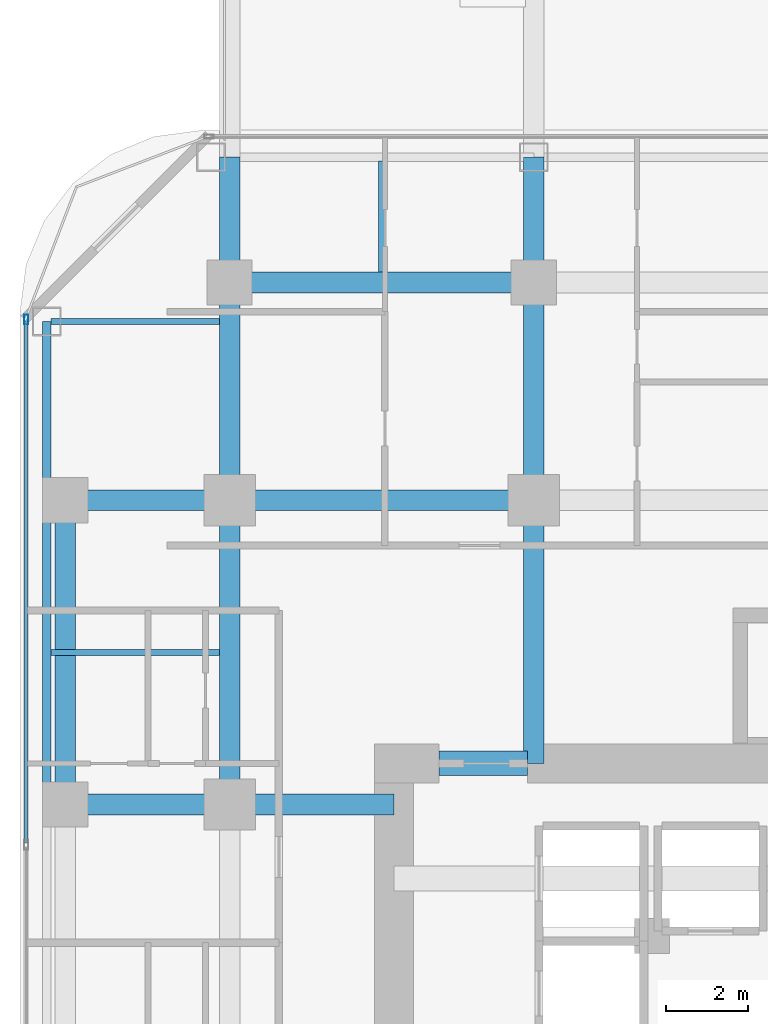
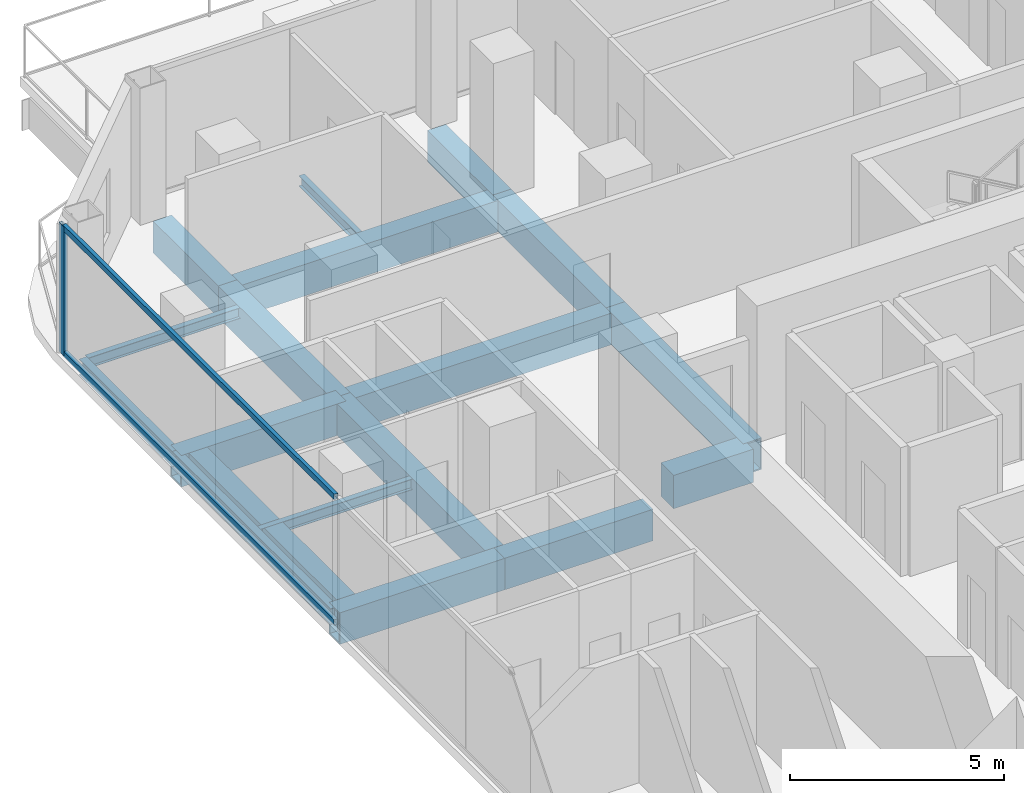
# One storey, part 12 of 29: 18 beams, 3 members, 1 element without a shape of its own.
"""IFC4 building model written with IfcOpenShell, lengths in metres."""

from ifc_helpers import new_model, si_unit, direction, frame, origin, origin_2d, place, context, subcontext, project, spatial, rectangle, hollow_rectangle, i_section, extrude, material, layer, layer_set, material_profile, profile_set, type_object, element, aggregate, save


model = new_model("IFC4")

# Units and contexts
model_context = context("Model", 3, precision=1e-05, world=origin(), true_north=direction((0.0, 1.0)))
body_context = subcontext(model_context, "Body", "Model", "MODEL_VIEW")
ifc_project = project(units=[si_unit("LENGTHUNIT", "METRE"), si_unit("AREAUNIT", "SQUARE_METRE"), si_unit("VOLUMEUNIT", "CUBIC_METRE"), si_unit("PLANEANGLEUNIT", "RADIAN"), si_unit("MASSUNIT", "GRAM", prefix="KILO")], contexts=[model_context])

# Site, building, storey
site_placement = place(None, origin())
site = spatial("IfcSite", under=ifc_project, at=site_placement, CompositionType="ELEMENT")
building_placement = place(site_placement, origin())
building = spatial("IfcBuilding", under=site, at=building_placement, Name="Khorvyn Point Tower", CompositionType="ELEMENT")
storey_placement = place(building_placement, frame((0.0, 0.0, 136.800048828125)))
storey = spatial("IfcBuildingStorey", under=building, at=storey_placement, Name="L34", CompositionType="ELEMENT", Elevation=136.800048828125)

# Curtain wall, members
ifc_material_1 = material(Name="Anodised aluminium 6063-T6 and laminated Low-E glass", Category="aluminium")
ifc_layer = layer(ifc_material_1, 0.18994140625)
ifc_layer_set = layer_set([ifc_layer], Name="Stick-Built Acoustic Curtain Wall CW-SYS-03")
curtain_wall_type = type_object("IfcCurtainWallType", Name="Stick-Built Acoustic Curtain Wall CW-SYS-03", PredefinedType="NOTDEFINED", material=ifc_layer_set)
curtain_wall_placement = place(storey_placement, origin())
curtain_wall = element("IfcCurtainWall", 1, at=curtain_wall_placement, inside=storey, type_object=curtain_wall_type, Name="Curtain Wall", PredefinedType="NOTDEFINED")
ifc_material_2 = material(Name="Anodised aluminium 6063-T6", Category="aluminium")
ifc_material_profile_1 = material_profile(ifc_material_2, hollow_rectangle(XDim=0.10009765625, YDim=0.239990234375, WallThickness=0.0048828125, at=origin_2d()))
ifc_profile_set_1 = profile_set([ifc_material_profile_1], Name="Anodised aluminium 6063-T6 ALU-MUL-100x240")
member_type_1 = type_object("IfcMemberType", Name="Anodised Aluminium 6063-T6 Mullion ALU-MUL-100x240", PredefinedType="MULLION", material=ifc_profile_set_1)
member_1_placement = place(storey_placement, frame((-19.75, 19.199951171875, 0.0), z_axis=(0.0, 0.0, 1.0), x_axis=(-1.0, 0.0, 0.0)))
member_1 = element("IfcMember", 2, at=member_1_placement, type_object=member_type_1, Name="Transom", PredefinedType="MULLION", context=body_context, shape_type="SweptSolid", body=[
    extrude(hollow_rectangle(XDim=0.10009765625, YDim=0.239990234375, WallThickness=0.0048828125, at=origin_2d()), origin(), (0.0, 0.0, 1.0), 3.679931640625),
])
ifc_material_profile_2 = material_profile(ifc_material_2, hollow_rectangle(XDim=0.10009765625, YDim=0.159912109375, WallThickness=0.00439453125, at=origin_2d()))
ifc_profile_set_2 = profile_set([ifc_material_profile_2], Name="Anodised aluminium 6063-T6 ALU-TRN-100x160")
member_type_2 = type_object("IfcMemberType", Name="Anodised Aluminium 6063-T6 Transom ALU-TRN-100x160", PredefinedType="USERDEFINED", material=ifc_profile_set_2)
member_2_placement = place(storey_placement, frame((-19.75, 6.466552734375, 0.050048828125), z_axis=(0.0, 1.0, 0.0), x_axis=(-1.0, 0.0, 0.0)))
member_2 = element("IfcMember", 3, at=member_2_placement, type_object=member_type_2, Name="Transom", ObjectType="TRANSOM", PredefinedType="USERDEFINED", context=body_context, shape_type="SweptSolid", body=[
    extrude(hollow_rectangle(XDim=0.10009765625, YDim=0.159912109375, WallThickness=0.00439453125, at=origin_2d()), origin(), (0.0, 0.0, 1.0), 12.683349609375),
])
member_3_placement = place(storey_placement, frame((-19.75, 6.466552734375, 3.6298828125), z_axis=(0.0, 1.0, 0.0), x_axis=(-1.0, 0.0, 0.0)))
member_3 = element("IfcMember", 4, at=member_3_placement, type_object=member_type_2, Name="Transom", ObjectType="TRANSOM", PredefinedType="USERDEFINED", context=body_context, shape_type="SweptSolid", body=[
    extrude(hollow_rectangle(XDim=0.10009765625, YDim=0.159912109375, WallThickness=0.00439453125, at=origin_2d()), origin(), (0.0, 0.0, 1.0), 12.683349609375),
])
aggregate(curtain_wall, [member_1, member_2, member_3])

# Beams
ifc_material_3 = material(Name="Concrete C50/60", Category="concrete")
ifc_material_profile_3 = material_profile(ifc_material_3, rectangle(XDim=0.60009765625, YDim=0.949951171875, at=origin_2d()))
ifc_profile_set_3 = profile_set([ifc_material_profile_3], Name="Concrete C50/60 RC600x950")
beam_type_1 = type_object("IfcBeamType", Name="Concrete C50/60 Beam RC600x950", PredefinedType="BEAM", material=ifc_profile_set_3)
beam_1_placement = place(storey_placement, frame((-9.699951171875, 8.39990234375, -0.755126953125), z_axis=(1.0, 0.0, 0.0), x_axis=(0.0, 1.0, 0.0)))
element("IfcBeam", 5, at=beam_1_placement, inside=storey, type_object=beam_type_1, Name="L34 Core Northwest Portal Coupling Beam", PredefinedType="BEAM", context=body_context, shape_type="SweptSolid", body=[
    extrude(rectangle(XDim=0.60009765625, YDim=0.949951171875, at=origin_2d()), origin(), (0.0, 0.0, 1.0), 2.14990234375),
])
ifc_material_4 = material(Name="Steel S355", Category="steel")
ifc_material_profile_4 = material_profile(ifc_material_4, i_section(OverallWidth=0.14990234375, OverallDepth=0.300048828125, WebThickness=0.006591796875, FlangeThickness=0.009033203125, at=origin_2d()))
ifc_profile_set_4 = profile_set([ifc_material_profile_4], Name="Steel S355 H300x150x6.5x9")
beam_type_2 = type_object("IfcBeamType", Name="Steel S355 Joist H300x150x6.5x9", PredefinedType="JOIST", material=ifc_profile_set_4)
beam_2_placement = place(storey_placement, frame((-19.14990234375, 11.10009765625, -0.429931640625), z_axis=(1.0, 0.0, 0.0), x_axis=(0.0, 1.0, 0.0)))
element("IfcBeam", 6, at=beam_2_placement, inside=storey, type_object=beam_type_2, Name="Beam", PredefinedType="JOIST", context=body_context, shape_type="SweptSolid", body=[
    extrude(i_section(OverallWidth=0.14990234375, OverallDepth=0.300048828125, WebThickness=0.006591796875, FlangeThickness=0.009033203125, at=origin_2d()), origin(), (0.0, 0.0, 1.0), 4.099853515625),
])
beam_3_placement = place(storey_placement, frame((-11.10009765625, 20.35009765625, -0.429931640625), z_axis=(0.0, 1.0, 0.0), x_axis=(-1.0, 0.0, 0.0)))
element("IfcBeam", 7, at=beam_3_placement, inside=storey, type_object=beam_type_2, Name="Beam", PredefinedType="JOIST", context=body_context, shape_type="SweptSolid", body=[
    extrude(i_section(OverallWidth=0.14990234375, OverallDepth=0.300048828125, WebThickness=0.006591796875, FlangeThickness=0.009033203125, at=origin_2d()), origin(), (0.0, 0.0, 1.0), 2.699951171875),
])
beam_4_placement = place(storey_placement, frame((-19.14990234375, 19.14990234375, -0.429931640625), z_axis=(1.0, 0.0, 0.0), x_axis=(0.0, 1.0, 0.0)))
element("IfcBeam", 8, at=beam_4_placement, inside=storey, type_object=beam_type_2, Name="Beam", PredefinedType="JOIST", context=body_context, shape_type="SweptSolid", body=[
    extrude(i_section(OverallWidth=0.14990234375, OverallDepth=0.300048828125, WebThickness=0.006591796875, FlangeThickness=0.009033203125, at=origin_2d()), origin(), (0.0, 0.0, 1.0), 4.099853515625),
])
ifc_material_profile_5 = material_profile(ifc_material_4, i_section(OverallWidth=0.199951171875, OverallDepth=0.449951171875, WebThickness=0.009033203125, FlangeThickness=0.013916015625, at=origin_2d()))
ifc_profile_set_5 = profile_set([ifc_material_profile_5], Name="Steel S355 H450x200x9x14")
beam_type_3 = type_object("IfcBeamType", Name="Steel S355 Spandrel H450x200x9x14", PredefinedType="SPANDREL", material=ifc_profile_set_5)
beam_5_placement = place(storey_placement, frame((-19.25, 7.39990234375, -0.505126953125), z_axis=(0.0, 1.0, 0.0), x_axis=(-1.0, 0.0, 0.0)))
element("IfcBeam", 9, at=beam_5_placement, inside=storey, type_object=beam_type_3, Name="Beam", PredefinedType="SPANDREL", context=body_context, shape_type="SweptSolid", body=[
    extrude(i_section(OverallWidth=0.199951171875, OverallDepth=0.449951171875, WebThickness=0.009033203125, FlangeThickness=0.013916015625, at=origin_2d()), origin(), (0.0, 0.0, 1.0), 7.400146484375),
])
beam_6_placement = place(storey_placement, frame((-19.25, 14.800048828125, -0.505126953125), z_axis=(0.0, 1.0, 0.0), x_axis=(-1.0, 0.0, 0.0)))
element("IfcBeam", 10, at=beam_6_placement, inside=storey, type_object=beam_type_3, Name="Beam", PredefinedType="SPANDREL", context=body_context, shape_type="SweptSolid", body=[
    extrude(i_section(OverallWidth=0.199951171875, OverallDepth=0.449951171875, WebThickness=0.009033203125, FlangeThickness=0.013916015625, at=origin_2d()), origin(), (0.0, 0.0, 1.0), 4.349853515625),
])
ifc_material_5 = material(Name="Steel S450", Category="steel")
ifc_material_profile_6 = material_profile(ifc_material_5, hollow_rectangle(XDim=0.5, YDim=0.89990234375, WallThickness=0.0400390625, at=origin_2d()))
ifc_profile_set_6 = profile_set([ifc_material_profile_6], Name="Steel S450 BOX900x500x40")
beam_type_4 = type_object("IfcBeamType", Name="Steel S450 Beam BOX900x500x40", PredefinedType="BEAM", material=ifc_profile_set_6)
beam_7_placement = place(storey_placement, frame((-19.25, 14.800048828125, -0.72998046875), z_axis=(1.0, 0.0, 0.0), x_axis=(0.0, 1.0, 0.0)))
element("IfcBeam", 11, at=beam_7_placement, inside=storey, type_object=beam_type_4, Name="L34 Radial Transfer Girder", PredefinedType="BEAM", context=body_context, shape_type="SweptSolid", body=[
    extrude(hollow_rectangle(XDim=0.5, YDim=0.89990234375, WallThickness=0.0400390625, at=origin_2d()), origin(), (0.0, 0.0, 1.0), 4.449951171875),
])
beam_8_placement = place(storey_placement, frame((-14.800048828125, 14.800048828125, -0.72998046875), z_axis=(1.0, 0.0, 0.0), x_axis=(0.0, 1.0, 0.0)))
element("IfcBeam", 12, at=beam_8_placement, inside=storey, type_object=beam_type_4, Name="L34 Radial Transfer Girder", PredefinedType="BEAM", context=body_context, shape_type="SweptSolid", body=[
    extrude(hollow_rectangle(XDim=0.5, YDim=0.89990234375, WallThickness=0.0400390625, at=origin_2d()), origin(), (0.0, 0.0, 1.0), 7.400146484375),
])
beam_9_placement = place(storey_placement, frame((-19.25, 7.39990234375, -0.72998046875), z_axis=(1.0, 0.0, 0.0), x_axis=(0.0, 1.0, 0.0)))
element("IfcBeam", 13, at=beam_9_placement, inside=storey, type_object=beam_type_4, Name="Beam", PredefinedType="BEAM", context=body_context, shape_type="SweptSolid", body=[
    extrude(hollow_rectangle(XDim=0.5, YDim=0.89990234375, WallThickness=0.0400390625, at=origin_2d()), origin(), (0.0, 0.0, 1.0), 4.449951171875),
])
beam_10_placement = place(storey_placement, frame((-14.800048828125, 7.39990234375, -0.72998046875), z_axis=(1.0, 0.0, 0.0), x_axis=(0.0, 1.0, 0.0)))
element("IfcBeam", 14, at=beam_10_placement, inside=storey, type_object=beam_type_4, Name="Beam", PredefinedType="BEAM", context=body_context, shape_type="SweptSolid", body=[
    extrude(hollow_rectangle(XDim=0.5, YDim=0.89990234375, WallThickness=0.0400390625, at=origin_2d()), origin(), (0.0, 0.0, 1.0), 4.0),
])
for number, where, z_axis, x_axis, name in (
    (15, (-14.800048828125, 20.10009765625, -0.72998046875), (1.0, 0.0, 0.0), (0.0, 1.0, 0.0), "Beam"),
    (16, (-14.800048828125, 7.39990234375, -0.72998046875), (0.0, 1.0, 0.0), (-1.0, 0.0, 0.0), "L34 Radial Transfer Girder"),
):
    element("IfcBeam", number, at=place(storey_placement, frame(where, z_axis=z_axis, x_axis=x_axis)), inside=storey, type_object=beam_type_4, Name=name, PredefinedType="BEAM", context=body_context, shape_type="SweptSolid", body=[
        extrude(hollow_rectangle(XDim=0.5, YDim=0.89990234375, WallThickness=0.0400390625, at=origin_2d()), origin(), (0.0, 0.0, 1.0), 7.400146484375),
    ])
beam_11_placement = place(storey_placement, frame((-14.800048828125, 14.800048828125, -0.72998046875), z_axis=(0.0, 1.0, 0.0), x_axis=(-1.0, 0.0, 0.0)))
element("IfcBeam", 17, at=beam_11_placement, inside=storey, type_object=beam_type_4, Name="L34 Radial Transfer Girder", PredefinedType="BEAM", context=body_context, shape_type="SweptSolid", body=[
    extrude(hollow_rectangle(XDim=0.5, YDim=0.89990234375, WallThickness=0.0400390625, at=origin_2d()), origin(), (0.0, 0.0, 1.0), 5.300048828125),
])
beam_12_placement = place(storey_placement, frame((-14.800048828125, 20.10009765625, -0.72998046875), z_axis=(0.0, 1.0, 0.0), x_axis=(-1.0, 0.0, 0.0)))
element("IfcBeam", 18, at=beam_12_placement, inside=storey, type_object=beam_type_4, Name="L34 Radial Transfer Girder", PredefinedType="BEAM", context=body_context, shape_type="SweptSolid", body=[
    extrude(hollow_rectangle(XDim=0.5, YDim=0.89990234375, WallThickness=0.0400390625, at=origin_2d()), origin(), (0.0, 0.0, 1.0), 3.0498046875),
])
beam_13_placement = place(storey_placement, frame((-7.39990234375, 8.39990234375, -0.72998046875), z_axis=(0.0, 1.0, 0.0), x_axis=(-1.0, 0.0, 0.0)))
element("IfcBeam", 19, at=beam_13_placement, inside=storey, type_object=beam_type_4, Name="Beam", PredefinedType="BEAM", context=body_context, shape_type="SweptSolid", body=[
    extrude(hollow_rectangle(XDim=0.5, YDim=0.89990234375, WallThickness=0.0400390625, at=origin_2d()), origin(), (0.0, 0.0, 1.0), 6.400146484375),
])
beam_14_placement = place(storey_placement, frame((-7.39990234375, 14.800048828125, -0.72998046875), z_axis=(0.0, 1.0, 0.0), x_axis=(-1.0, 0.0, 0.0)))
element("IfcBeam", 20, at=beam_14_placement, inside=storey, type_object=beam_type_4, Name="Beam", PredefinedType="BEAM", context=body_context, shape_type="SweptSolid", body=[
    extrude(hollow_rectangle(XDim=0.5, YDim=0.89990234375, WallThickness=0.0400390625, at=origin_2d()), origin(), (0.0, 0.0, 1.0), 5.300048828125),
])
beam_15_placement = place(storey_placement, frame((-7.39990234375, 20.10009765625, -0.72998046875), z_axis=(0.0, 1.0, 0.0), x_axis=(-1.0, 0.0, 0.0)))
element("IfcBeam", 21, at=beam_15_placement, inside=storey, type_object=beam_type_4, Name="Beam", PredefinedType="BEAM", context=body_context, shape_type="SweptSolid", body=[
    extrude(hollow_rectangle(XDim=0.5, YDim=0.89990234375, WallThickness=0.0400390625, at=origin_2d()), origin(), (0.0, 0.0, 1.0), 3.0498046875),
])
beam_16_placement = place(storey_placement, frame((-18.800048828125, 7.39990234375, -0.72998046875), z_axis=(0.0, 1.0, 0.0), x_axis=(-1.0, 0.0, 0.0)))
element("IfcBeam", 22, at=beam_16_placement, inside=storey, type_object=beam_type_4, Name="Beam", PredefinedType="BEAM", context=body_context, shape_type="SweptSolid", body=[
    extrude(hollow_rectangle(XDim=0.5, YDim=0.89990234375, WallThickness=0.0400390625, at=origin_2d()), origin(), (0.0, 0.0, 1.0), 7.400146484375),
])

save(model, "model.ifc")
